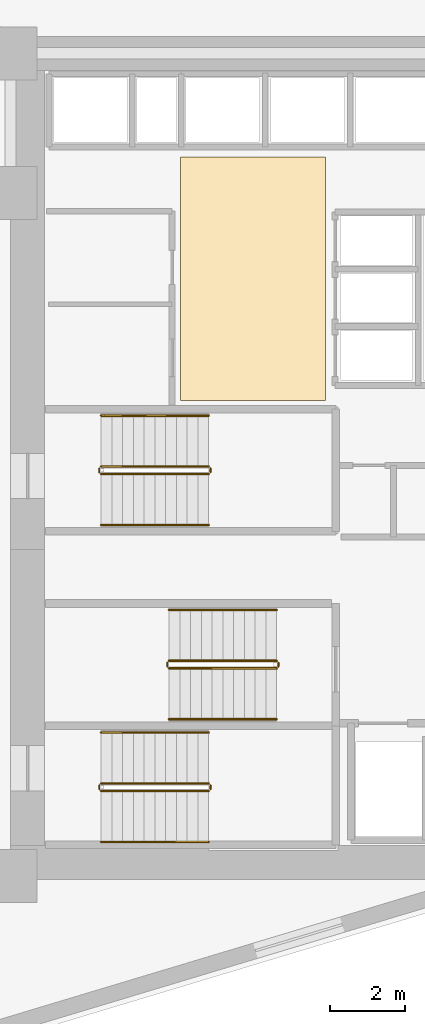
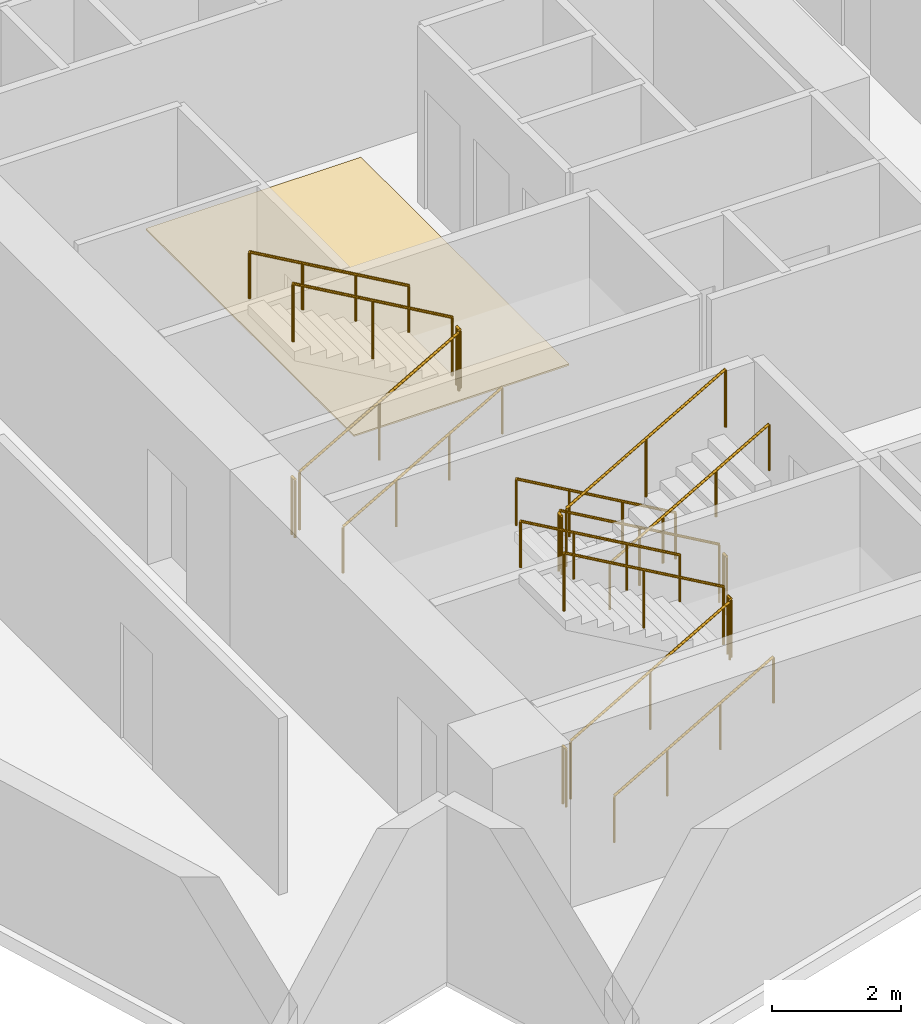
# One storey, part 15 of 16: 18 railings, 1 covering.
"""IFC4 building model written with IfcOpenShell, lengths in metres."""

from ifc_helpers import new_model, si_unit, direction, frame, origin, origin_2d, place, context, subcontext, project, spatial, polyline, circle, outline, extrude, material, layer, layer_set, type_object, element, save


model = new_model("IFC4")

# Units and contexts
model_context = context("Model", 3, precision=1e-05, world=origin(), true_north=direction((0.0, 1.0)))
body_context = subcontext(model_context, "Body", "Model", "MODEL_VIEW")
ifc_project = project(units=[si_unit("LENGTHUNIT", "METRE"), si_unit("AREAUNIT", "SQUARE_METRE"), si_unit("VOLUMEUNIT", "CUBIC_METRE"), si_unit("PLANEANGLEUNIT", "RADIAN"), si_unit("MASSUNIT", "GRAM", prefix="KILO")], contexts=[model_context])

# Site, building, storey
site_placement = place(None, origin())
site = spatial("IfcSite", under=ifc_project, at=site_placement, CompositionType="ELEMENT")
building_placement = place(site_placement, origin())
building = spatial("IfcBuilding", under=site, at=building_placement, Name="Narakoshi Arena Tower", CompositionType="ELEMENT")
storey_placement = place(building_placement, frame((0.0, 0.0, 150.300048828125)))
storey = spatial("IfcBuildingStorey", under=building, at=storey_placement, Name="L40", CompositionType="ELEMENT", Elevation=150.300048828125)

# Covering
ifc_material_1 = material(Name="Honed granite stone paving", Category="masonry")
ifc_layer = layer(ifc_material_1, 0.030029296875)
ifc_layer_set = layer_set([ifc_layer], Name="Honed granite stone paving")
covering_type = type_object("IfcCoveringType", Name="COV-FLR-ST30", PredefinedType="FLOORING", material=ifc_layer_set)
covering_placement = place(storey_placement, origin())
element("IfcCovering", 1, at=covering_placement, inside=storey, type_object=covering_type, Name="L40 Lift Lobby Granite Flooring", PredefinedType="FLOORING", context=body_context, shape_type="SweptSolid", body=[
    extrude(outline(polyline([(76.5, 47.300048828125), (80.35009765625, 47.300048828125), (80.35009765625, 53.75), (76.5, 53.75), (76.5, 47.300048828125)])), origin(), (0.0, 0.0, 1.0), 0.030029296875),
])

# Railings
ifc_material_2 = material(Name="Clear low-iron laminated structural glass", Category="glass")
railing_type_1 = type_object("IfcRailingType", Name="RL-BAL-1100", PredefinedType="BALUSTRADE", material=ifc_material_2)
railing_1_placement = place(storey_placement, frame((74.39990234375, 36.949951171875, 0.16357421875)))
element("IfcRailing", 2, at=railing_1_placement, inside=storey, type_object=railing_type_1, Name="L40 ST1 stair guard 1", PredefinedType="BALUSTRADE", context=body_context, shape_type="SweptSolid", body=[
    extrude(circle(Radius=0.02392578125, at=origin_2d()), frame((0.0, 0.0, 1.09619140625), z_axis=(0.86721270334, 0.0, 0.497937874806), x_axis=(0.0, 1.0, 0.0)), (0.0, 0.0, 1.0), 3.28662109375),
    extrude(circle(Radius=0.02099609375, at=origin_2d()), origin(), (0.0, 0.0, 1.0), 1.072021484375),
    extrude(circle(Radius=0.02099609375, at=origin_2d()), frame((1.425048828125, 0.0, 0.818359375)), (0.0, 0.0, 1.0), 1.072021484375),
    extrude(circle(Radius=0.02099609375, at=origin_2d()), frame((2.85009765625, 0.0, 1.636474609375)), (0.0, 0.0, 1.0), 1.072021484375),
])
railing_2_placement = place(storey_placement, frame((77.300048828125, 37.0, 1.800048828125)))
element("IfcRailing", 3, at=railing_2_placement, inside=storey, type_object=railing_type_1, Name="L40 ST1 stair guard 2", PredefinedType="BALUSTRADE", context=body_context, shape_type="SweptSolid", body=[
    extrude(circle(Radius=0.02392578125, at=origin_2d()), frame((0.0, 0.0, 1.09619140625), z_axis=(0.0, 1.0, 0.0), x_axis=(-1.0, 0.0, 0.0)), (0.0, 0.0, 1.0), 0.10009765625),
    extrude(circle(Radius=0.02099609375, at=origin_2d()), origin(), (0.0, 0.0, 1.0), 1.072021484375),
    extrude(circle(Radius=0.02099609375, at=origin_2d()), frame((0.0, 0.10009765625, 0.0)), (0.0, 0.0, 1.0), 1.072021484375),
])
railing_3_placement = place(storey_placement, frame((77.25, 37.14990234375, 1.963623046875)))
element("IfcRailing", 4, at=railing_3_placement, inside=storey, type_object=railing_type_1, Name="L40 ST1 stair guard 3", PredefinedType="BALUSTRADE", context=body_context, shape_type="SweptSolid", body=[
    extrude(circle(Radius=0.02392578125, at=origin_2d()), frame((0.0, 0.0, 1.09619140625), z_axis=(-0.867244780686, 0.0, 0.497882004468), x_axis=(0.0, -1.0, 0.0)), (0.0, 0.0, 1.0), 3.286376953125),
    extrude(circle(Radius=0.02099609375, at=origin_2d()), origin(), (0.0, 0.0, 1.0), 1.072021484375),
    extrude(circle(Radius=0.02099609375, at=origin_2d()), frame((-1.425048828125, 0.0, 0.818115234375)), (0.0, 0.0, 1.0), 1.072021484375),
    extrude(circle(Radius=0.02099609375, at=origin_2d()), frame((-2.85009765625, 0.0, 1.63623046875)), (0.0, 0.0, 1.0), 1.072021484375),
])
railing_4_placement = place(storey_placement, frame((74.35009765625, 37.0, 0.0)))
element("IfcRailing", 5, at=railing_4_placement, inside=storey, type_object=railing_type_1, Name="L40 ST1 stair guard 4", PredefinedType="BALUSTRADE", context=body_context, shape_type="SweptSolid", body=[
    extrude(circle(Radius=0.02392578125, at=origin_2d()), frame((0.0, 0.0, 1.09619140625), z_axis=(0.0, 1.0, 0.0), x_axis=(-1.0, 0.0, 0.0)), (0.0, 0.0, 1.0), 0.10009765625),
    extrude(circle(Radius=0.02099609375, at=origin_2d()), origin(), (0.0, 0.0, 1.0), 1.072021484375),
    extrude(circle(Radius=0.02099609375, at=origin_2d()), frame((0.0, 0.10009765625, 0.0)), (0.0, 0.0, 1.0), 1.072021484375),
])
railing_5_placement = place(storey_placement, frame((79.050048828125, 40.39990234375, 0.16357421875)))
element("IfcRailing", 6, at=railing_5_placement, inside=storey, type_object=railing_type_1, Name="L40 ST2 stair guard 1", PredefinedType="BALUSTRADE", context=body_context, shape_type="SweptSolid", body=[
    extrude(circle(Radius=0.02392578125, at=origin_2d()), frame((0.0, 0.0, 1.09619140625), z_axis=(-0.86721270334, 0.0, 0.497937874806), x_axis=(0.0, -1.0, 0.0)), (0.0, 0.0, 1.0), 3.28662109375),
    extrude(circle(Radius=0.02099609375, at=origin_2d()), origin(), (0.0, 0.0, 1.0), 1.072021484375),
    extrude(circle(Radius=0.02099609375, at=origin_2d()), frame((-1.425048828125, 0.0, 0.818359375)), (0.0, 0.0, 1.0), 1.072021484375),
    extrude(circle(Radius=0.02099609375, at=origin_2d()), frame((-2.85009765625, 0.0, 1.636474609375)), (0.0, 0.0, 1.0), 1.072021484375),
])
railing_6_placement = place(storey_placement, frame((76.14990234375, 40.35009765625, 1.800048828125)))
element("IfcRailing", 7, at=railing_6_placement, inside=storey, type_object=railing_type_1, Name="L40 ST2 stair guard 2", PredefinedType="BALUSTRADE", context=body_context, shape_type="SweptSolid", body=[
    extrude(circle(Radius=0.02392578125, at=origin_2d()), frame((0.0, 0.0, 1.09619140625), z_axis=(0.0, -1.0, 0.0), x_axis=(1.0, 0.0, 0.0)), (0.0, 0.0, 1.0), 0.10009765625),
    extrude(circle(Radius=0.02099609375, at=origin_2d()), origin(), (0.0, 0.0, 1.0), 1.072021484375),
    extrude(circle(Radius=0.02099609375, at=origin_2d()), frame((0.0, -0.10009765625, 0.0)), (0.0, 0.0, 1.0), 1.072021484375),
])
railing_7_placement = place(storey_placement, frame((76.199951171875, 40.199951171875, 1.963623046875)))
element("IfcRailing", 8, at=railing_7_placement, inside=storey, type_object=railing_type_1, Name="L40 ST2 stair guard 3", PredefinedType="BALUSTRADE", context=body_context, shape_type="SweptSolid", body=[
    extrude(circle(Radius=0.02392578125, at=origin_2d()), frame((0.0, 0.0, 1.09619140625), z_axis=(0.867244780686, 0.0, 0.497882004468), x_axis=(0.0, 1.0, 0.0)), (0.0, 0.0, 1.0), 3.286376953125),
    extrude(circle(Radius=0.02099609375, at=origin_2d()), origin(), (0.0, 0.0, 1.0), 1.072021484375),
    extrude(circle(Radius=0.02099609375, at=origin_2d()), frame((1.425048828125, 0.0, 0.818115234375)), (0.0, 0.0, 1.0), 1.072021484375),
    extrude(circle(Radius=0.02099609375, at=origin_2d()), frame((2.85009765625, 0.0, 1.63623046875)), (0.0, 0.0, 1.0), 1.072021484375),
])
railing_8_placement = place(storey_placement, frame((79.10009765625, 40.35009765625, 0.0)))
element("IfcRailing", 9, at=railing_8_placement, inside=storey, type_object=railing_type_1, Name="L40 ST2 stair guard 4", PredefinedType="BALUSTRADE", context=body_context, shape_type="SweptSolid", body=[
    extrude(circle(Radius=0.02392578125, at=origin_2d()), frame((0.0, 0.0, 1.09619140625), z_axis=(0.0, -1.0, 0.0), x_axis=(1.0, 0.0, 0.0)), (0.0, 0.0, 1.0), 0.10009765625),
    extrude(circle(Radius=0.02099609375, at=origin_2d()), origin(), (0.0, 0.0, 1.0), 1.072021484375),
    extrude(circle(Radius=0.02099609375, at=origin_2d()), frame((0.0, -0.10009765625, 0.0)), (0.0, 0.0, 1.0), 1.072021484375),
])
railing_9_placement = place(storey_placement, frame((74.39990234375, 45.35009765625, 0.16357421875)))
element("IfcRailing", 10, at=railing_9_placement, inside=storey, type_object=railing_type_1, Name="L40 ST3 stair guard 1", PredefinedType="BALUSTRADE", context=body_context, shape_type="SweptSolid", body=[
    extrude(circle(Radius=0.02392578125, at=origin_2d()), frame((0.0, 0.0, 1.09619140625), z_axis=(0.86721270334, 0.0, 0.497937874806), x_axis=(0.0, 1.0, 0.0)), (0.0, 0.0, 1.0), 3.28662109375),
    extrude(circle(Radius=0.02099609375, at=origin_2d()), origin(), (0.0, 0.0, 1.0), 1.072021484375),
    extrude(circle(Radius=0.02099609375, at=origin_2d()), frame((1.425048828125, 0.0, 0.818359375)), (0.0, 0.0, 1.0), 1.072021484375),
    extrude(circle(Radius=0.02099609375, at=origin_2d()), frame((2.85009765625, 0.0, 1.636474609375)), (0.0, 0.0, 1.0), 1.072021484375),
])
railing_10_placement = place(storey_placement, frame((77.300048828125, 45.39990234375, 1.800048828125)))
element("IfcRailing", 11, at=railing_10_placement, inside=storey, type_object=railing_type_1, Name="L40 ST3 stair guard 2", PredefinedType="BALUSTRADE", context=body_context, shape_type="SweptSolid", body=[
    extrude(circle(Radius=0.02392578125, at=origin_2d()), frame((0.0, 0.0, 1.09619140625), z_axis=(0.0, 1.0, 0.0), x_axis=(-1.0, 0.0, 0.0)), (0.0, 0.0, 1.0), 0.10009765625),
    extrude(circle(Radius=0.02099609375, at=origin_2d()), origin(), (0.0, 0.0, 1.0), 1.072021484375),
    extrude(circle(Radius=0.02099609375, at=origin_2d()), frame((0.0, 0.10009765625, 0.0)), (0.0, 0.0, 1.0), 1.072021484375),
])
railing_11_placement = place(storey_placement, frame((77.25, 45.550048828125, 1.963623046875)))
element("IfcRailing", 12, at=railing_11_placement, inside=storey, type_object=railing_type_1, Name="L40 ST3 stair guard 3", PredefinedType="BALUSTRADE", context=body_context, shape_type="SweptSolid", body=[
    extrude(circle(Radius=0.02392578125, at=origin_2d()), frame((0.0, 0.0, 1.09619140625), z_axis=(-0.867244780686, 0.0, 0.497882004468), x_axis=(0.0, -1.0, 0.0)), (0.0, 0.0, 1.0), 3.286376953125),
    extrude(circle(Radius=0.02099609375, at=origin_2d()), origin(), (0.0, 0.0, 1.0), 1.072021484375),
    extrude(circle(Radius=0.02099609375, at=origin_2d()), frame((-1.425048828125, 0.0, 0.818115234375)), (0.0, 0.0, 1.0), 1.072021484375),
    extrude(circle(Radius=0.02099609375, at=origin_2d()), frame((-2.85009765625, 0.0, 1.63623046875)), (0.0, 0.0, 1.0), 1.072021484375),
])
railing_12_placement = place(storey_placement, frame((74.35009765625, 45.39990234375, 0.0)))
element("IfcRailing", 13, at=railing_12_placement, inside=storey, type_object=railing_type_1, Name="L40 ST3 stair guard 4", PredefinedType="BALUSTRADE", context=body_context, shape_type="SweptSolid", body=[
    extrude(circle(Radius=0.02392578125, at=origin_2d()), frame((0.0, 0.0, 1.09619140625), z_axis=(0.0, 1.0, 0.0), x_axis=(-1.0, 0.0, 0.0)), (0.0, 0.0, 1.0), 0.10009765625),
    extrude(circle(Radius=0.02099609375, at=origin_2d()), origin(), (0.0, 0.0, 1.0), 1.072021484375),
    extrude(circle(Radius=0.02099609375, at=origin_2d()), frame((0.0, 0.10009765625, 0.0)), (0.0, 0.0, 1.0), 1.072021484375),
])
ifc_material_3 = material(Name="Brushed bronze stainless steel", Category="steel")
railing_type_2 = type_object("IfcRailingType", Name="RL-HND-900", PredefinedType="HANDRAIL", material=ifc_material_3)
railing_13_placement = place(storey_placement, frame((74.39990234375, 35.60009765625, 0.16357421875)))
element("IfcRailing", 14, at=railing_13_placement, inside=storey, type_object=railing_type_2, Name="L40 ST1 stair handrail 1", PredefinedType="HANDRAIL", context=body_context, shape_type="SweptSolid", body=[
    extrude(circle(Radius=0.02392578125, at=origin_2d()), frame((0.0, 0.0, 0.8759765625), z_axis=(0.86721270334, 0.0, 0.497937874806), x_axis=(0.0, 1.0, 0.0)), (0.0, 0.0, 1.0), 3.28662109375),
    extrude(circle(Radius=0.02099609375, at=origin_2d()), origin(), (0.0, 0.0, 1.0), 0.851806640625),
    extrude(circle(Radius=0.02099609375, at=origin_2d()), frame((0.949951171875, 0.0, 0.54541015625)), (0.0, 0.0, 1.0), 0.851806640625),
    extrude(circle(Radius=0.02099609375, at=origin_2d()), frame((1.900146484375, 0.0, 1.091064453125)), (0.0, 0.0, 1.0), 0.851806640625),
    extrude(circle(Radius=0.02099609375, at=origin_2d()), frame((2.85009765625, 0.0, 1.636474609375)), (0.0, 0.0, 1.0), 0.851806640625),
])
railing_14_placement = place(storey_placement, frame((77.25, 38.5, 1.963623046875)))
element("IfcRailing", 15, at=railing_14_placement, inside=storey, type_object=railing_type_2, Name="L40 ST1 stair handrail 2", PredefinedType="HANDRAIL", context=body_context, shape_type="SweptSolid", body=[
    extrude(circle(Radius=0.02392578125, at=origin_2d()), frame((0.0, 0.0, 0.8759765625), z_axis=(-0.867244780686, 0.0, 0.497882004468), x_axis=(0.0, -1.0, 0.0)), (0.0, 0.0, 1.0), 3.286376953125),
    extrude(circle(Radius=0.02099609375, at=origin_2d()), origin(), (0.0, 0.0, 1.0), 0.851806640625),
    extrude(circle(Radius=0.02099609375, at=origin_2d()), frame((-0.949951171875, 0.0, 0.54541015625)), (0.0, 0.0, 1.0), 0.851806640625),
    extrude(circle(Radius=0.02099609375, at=origin_2d()), frame((-1.900146484375, 0.0, 1.0908203125)), (0.0, 0.0, 1.0), 0.851806640625),
    extrude(circle(Radius=0.02099609375, at=origin_2d()), frame((-2.85009765625, 0.0, 1.63623046875)), (0.0, 0.0, 1.0), 0.851806640625),
])
railing_15_placement = place(storey_placement, frame((79.050048828125, 41.75, 0.16357421875)))
element("IfcRailing", 16, at=railing_15_placement, inside=storey, type_object=railing_type_2, Name="L40 ST2 stair handrail 1", PredefinedType="HANDRAIL", context=body_context, shape_type="SweptSolid", body=[
    extrude(circle(Radius=0.02392578125, at=origin_2d()), frame((0.0, 0.0, 0.8759765625), z_axis=(-0.86721270334, 0.0, 0.497937874806), x_axis=(0.0, -1.0, 0.0)), (0.0, 0.0, 1.0), 3.28662109375),
    extrude(circle(Radius=0.02099609375, at=origin_2d()), origin(), (0.0, 0.0, 1.0), 0.851806640625),
    extrude(circle(Radius=0.02099609375, at=origin_2d()), frame((-0.949951171875, 0.0, 0.54541015625)), (0.0, 0.0, 1.0), 0.851806640625),
    extrude(circle(Radius=0.02099609375, at=origin_2d()), frame((-1.900146484375, 0.0, 1.091064453125)), (0.0, 0.0, 1.0), 0.851806640625),
    extrude(circle(Radius=0.02099609375, at=origin_2d()), frame((-2.85009765625, 0.0, 1.636474609375)), (0.0, 0.0, 1.0), 0.851806640625),
])
railing_16_placement = place(storey_placement, frame((76.199951171875, 38.85009765625, 1.963623046875)))
element("IfcRailing", 17, at=railing_16_placement, inside=storey, type_object=railing_type_2, Name="L40 ST2 stair handrail 2", PredefinedType="HANDRAIL", context=body_context, shape_type="SweptSolid", body=[
    extrude(circle(Radius=0.02392578125, at=origin_2d()), frame((0.0, 0.0, 0.8759765625), z_axis=(0.867244780686, 0.0, 0.497882004468), x_axis=(0.0, 1.0, 0.0)), (0.0, 0.0, 1.0), 3.286376953125),
    extrude(circle(Radius=0.02099609375, at=origin_2d()), origin(), (0.0, 0.0, 1.0), 0.851806640625),
    extrude(circle(Radius=0.02099609375, at=origin_2d()), frame((0.949951171875, 0.0, 0.54541015625)), (0.0, 0.0, 1.0), 0.851806640625),
    extrude(circle(Radius=0.02099609375, at=origin_2d()), frame((1.900146484375, 0.0, 1.0908203125)), (0.0, 0.0, 1.0), 0.851806640625),
    extrude(circle(Radius=0.02099609375, at=origin_2d()), frame((2.85009765625, 0.0, 1.63623046875)), (0.0, 0.0, 1.0), 0.851806640625),
])
railing_17_placement = place(storey_placement, frame((74.39990234375, 44.0, 0.16357421875)))
element("IfcRailing", 18, at=railing_17_placement, inside=storey, type_object=railing_type_2, Name="L40 ST3 stair handrail 1", PredefinedType="HANDRAIL", context=body_context, shape_type="SweptSolid", body=[
    extrude(circle(Radius=0.02392578125, at=origin_2d()), frame((0.0, 0.0, 0.8759765625), z_axis=(0.86721270334, 0.0, 0.497937874806), x_axis=(0.0, 1.0, 0.0)), (0.0, 0.0, 1.0), 3.28662109375),
    extrude(circle(Radius=0.02099609375, at=origin_2d()), origin(), (0.0, 0.0, 1.0), 0.851806640625),
    extrude(circle(Radius=0.02099609375, at=origin_2d()), frame((0.949951171875, 0.0, 0.54541015625)), (0.0, 0.0, 1.0), 0.851806640625),
    extrude(circle(Radius=0.02099609375, at=origin_2d()), frame((1.900146484375, 0.0, 1.091064453125)), (0.0, 0.0, 1.0), 0.851806640625),
    extrude(circle(Radius=0.02099609375, at=origin_2d()), frame((2.85009765625, 0.0, 1.636474609375)), (0.0, 0.0, 1.0), 0.851806640625),
])
railing_18_placement = place(storey_placement, frame((77.25, 46.89990234375, 1.963623046875)))
element("IfcRailing", 19, at=railing_18_placement, inside=storey, type_object=railing_type_2, Name="L40 ST3 stair handrail 2", PredefinedType="HANDRAIL", context=body_context, shape_type="SweptSolid", body=[
    extrude(circle(Radius=0.02392578125, at=origin_2d()), frame((0.0, 0.0, 0.8759765625), z_axis=(-0.867244780686, 0.0, 0.497882004468), x_axis=(0.0, -1.0, 0.0)), (0.0, 0.0, 1.0), 3.286376953125),
    extrude(circle(Radius=0.02099609375, at=origin_2d()), origin(), (0.0, 0.0, 1.0), 0.851806640625),
    extrude(circle(Radius=0.02099609375, at=origin_2d()), frame((-0.949951171875, 0.0, 0.54541015625)), (0.0, 0.0, 1.0), 0.851806640625),
    extrude(circle(Radius=0.02099609375, at=origin_2d()), frame((-1.900146484375, 0.0, 1.0908203125)), (0.0, 0.0, 1.0), 0.851806640625),
    extrude(circle(Radius=0.02099609375, at=origin_2d()), frame((-2.85009765625, 0.0, 1.63623046875)), (0.0, 0.0, 1.0), 0.851806640625),
])

save(model, "model.ifc")
